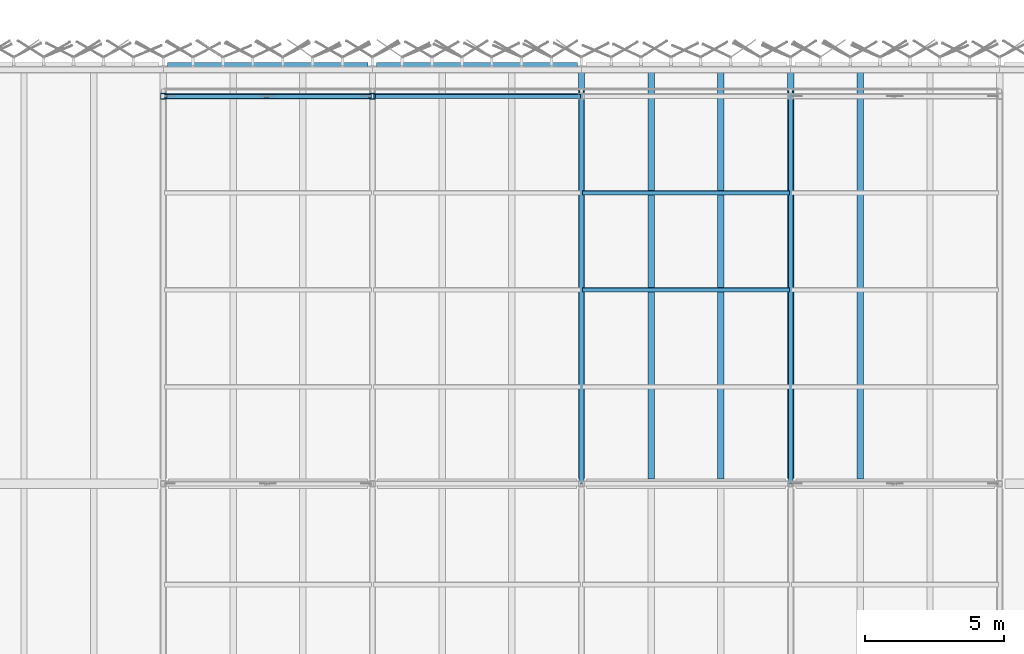
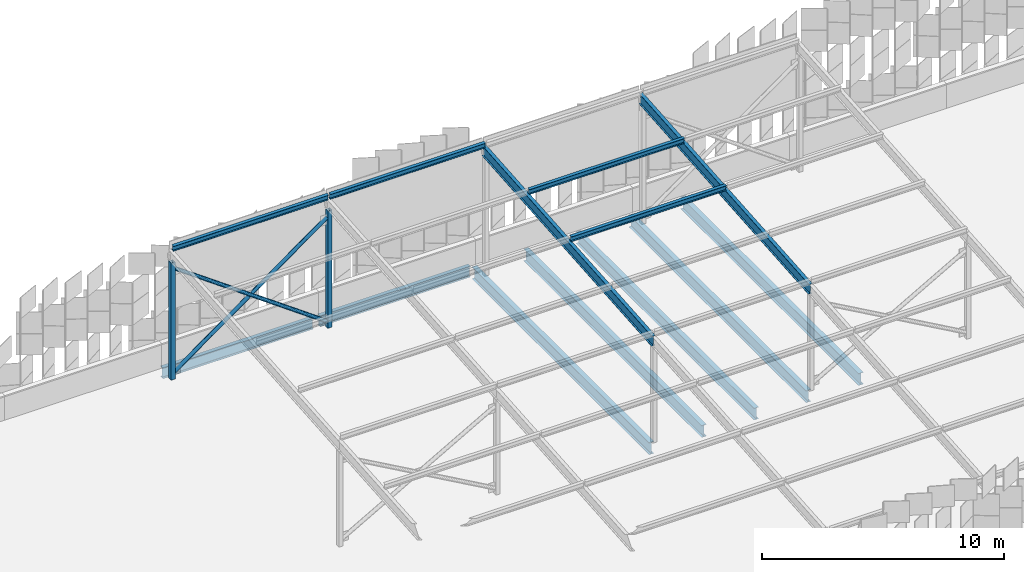
# One storey, part 98 of 483: 11 members, 7 beams.
"""IFC4 building model written with IfcOpenShell, lengths in metres."""

import ifcopenshell
import ifcopenshell.guid

model = None  # the IFC model being written
_history = None  # IfcOwnerHistory: only IFC2X3 demands one
_inside = {}  # id of a spatial element -> (the spatial element, [elements in it])
_under = {}  # id of a project, library or spatial element -> (it, [spatial elements below it])
_declared = {}  # id of a project -> (the project, [libraries it declares])
_typed = {}  # id of a type object -> (the type object, [elements of that type])
_made_of = {}  # id of a material, layer set ... -> (it, [elements and type objects made of it])


def new_model(schema):
    """Start an empty IFC model of exactly this schema.

    Asked for "IFC4X3", IfcOpenShell would pick the latest addendum, in which some entities
    have other attributes; the version numbers below select the first issue.
    IFC2X3 requires an IfcOwnerHistory on every rooted entity: one is made here for all.
    """
    global model, _history
    if schema == "IFC4X3":
        model = ifcopenshell.file(schema_version=(4, 3, 0, 0))
    else:
        model = ifcopenshell.file(schema=schema)
    _inside.clear()
    _under.clear()
    _declared.clear()
    _typed.clear()
    _made_of.clear()
    _history = None
    if model.schema == "IFC2X3":
        org = make("IfcOrganization", Name="unknown")
        user = make(
            "IfcPersonAndOrganization",
            ThePerson=make("IfcPerson", FamilyName="unknown"),
            TheOrganization=org,
        )
        app = make(
            "IfcApplication",
            ApplicationDeveloper=org,
            Version="unknown",
            ApplicationFullName="unknown",
            ApplicationIdentifier="unknown",
        )
        _history = make(
            "IfcOwnerHistory",
            OwningUser=user,
            OwningApplication=app,
            ChangeAction="ADDED",
            CreationDate=0,
        )
    return model


def make(cls, **values):
    """One entity of the class cls with the attributes given. An attribute that is None is left unset."""
    return model.create_entity(
        cls, **{name: value for name, value in values.items() if value is not None}
    )


def rooted(cls, **values):
    """An entity with a GlobalId (a new one), such as an element, a storey or a relation."""
    return make(cls, GlobalId=ifcopenshell.guid.new(), OwnerHistory=_history, **values)


def si_unit(unit_type, name, prefix=None):
    """IfcSIUnit, for example si_unit("LENGTHUNIT", "METRE", prefix="MILLI")."""
    return make("IfcSIUnit", UnitType=unit_type, Prefix=prefix, Name=name)


def assignment(units):
    """IfcUnitAssignment: the units of a project."""
    return None if units is None else make("IfcUnitAssignment", Units=units)


def point(xyz):
    """IfcCartesianPoint."""
    return None if xyz is None else make("IfcCartesianPoint", Coordinates=xyz)


def direction(xyz):
    """IfcDirection."""
    return None if xyz is None else make("IfcDirection", DirectionRatios=xyz)


def frame(location, z_axis=None, x_axis=None):
    """IfcAxis2Placement3D, a coordinate frame: its origin and axes. An axis left out is left unset."""
    return make(
        "IfcAxis2Placement3D",
        Location=point(location),
        Axis=direction(z_axis),
        RefDirection=direction(x_axis),
    )


def frame_2d(location, x_axis=None):
    """IfcAxis2Placement2D, a coordinate frame in the plane: its origin and x axis."""
    return make(
        "IfcAxis2Placement2D", Location=point(location), RefDirection=direction(x_axis)
    )


def origin():
    """The frame at (0, 0, 0) with its axes left unset."""
    return frame((0.0, 0.0, 0.0))


def origin_2d():
    """The frame at (0, 0) in the plane with its x axis left unset."""
    return frame_2d((0.0, 0.0))


def place(relative_to, where):
    """IfcLocalPlacement: puts the frame where relative to a parent placement (None: the world)."""
    return make(
        "IfcLocalPlacement", PlacementRelTo=relative_to, RelativePlacement=where
    )


def context(
    kind, dimensions, precision=None, world=None, true_north=None, identifier=None
):
    """IfcGeometricRepresentationContext, for example the 3D "Model" context."""
    return make(
        "IfcGeometricRepresentationContext",
        ContextIdentifier=identifier,
        ContextType=kind,
        CoordinateSpaceDimension=dimensions,
        Precision=precision,
        WorldCoordinateSystem=world,
        TrueNorth=true_north,
    )


def subcontext(parent, identifier, kind, view, scale=None):
    """IfcGeometricRepresentationSubContext, for example "Body" below "Model"."""
    return make(
        "IfcGeometricRepresentationSubContext",
        ContextIdentifier=identifier,
        ContextType=kind,
        ParentContext=parent,
        TargetScale=scale,
        TargetView=view,
    )


def project(units=None, contexts=None):
    """IfcProject with its units and contexts."""
    return rooted(
        "IfcProject",
        Name="project",
        RepresentationContexts=contexts,
        UnitsInContext=assignment(units),
    )


def spatial(cls, under=None, at=None, **own):
    """A site, building, storey or space (cls), placed at a placement, below another one or the project."""
    s = rooted(cls, ObjectPlacement=at, **own)
    if under is not None:
        _under.setdefault(under.id(), (under, []))[1].append(s)
    return s


def profile(cls, at=None, kind="AREA", **sizes):
    """A parametric profile (cls). Its sizes go by their IFC names, for example OverallWidth=200.0."""
    return make(cls, ProfileType=kind, Position=at, **sizes)


def hollow_rectangle(**sizes):
    """IfcRectangleHollowProfileDef."""
    return profile("IfcRectangleHollowProfileDef", **sizes)


def hollow_circle(**sizes):
    """IfcCircleHollowProfileDef."""
    return profile("IfcCircleHollowProfileDef", **sizes)


def i_section(**sizes):
    """IfcIShapeProfileDef."""
    return profile("IfcIShapeProfileDef", **sizes)


def extrude(swept, where, along, depth):
    """IfcExtrudedAreaSolid: the profile swept, set in the frame where, extruded along a direction by depth."""
    return make(
        "IfcExtrudedAreaSolid",
        SweptArea=swept,
        Position=where,
        ExtrudedDirection=direction(along),
        Depth=depth,
    )


def shape(context_of_items, identifier, shape_type, items):
    """IfcShapeRepresentation: the items that make up one representation, for example the "Body"."""
    return make(
        "IfcShapeRepresentation",
        ContextOfItems=context_of_items,
        RepresentationIdentifier=identifier,
        RepresentationType=shape_type,
        Items=items,
    )


def material(Name=None, Category=None):
    """IfcMaterial."""
    return make("IfcMaterial", Name=Name, Category=Category)


def material_profile(
    of_material, cross_section, Name=None, Category=None, Priority=None
):
    """IfcMaterialProfile: a cross section and its material."""
    return make(
        "IfcMaterialProfile",
        Name=Name,
        Material=of_material,
        Profile=cross_section,
        Priority=Priority,
        Category=Category,
    )


def profile_set(profiles, Name=None, composite=None):
    """IfcMaterialProfileSet."""
    return make(
        "IfcMaterialProfileSet",
        Name=Name,
        MaterialProfiles=profiles,
        CompositeProfile=composite,
    )


def made_of(thing, what):
    """Note that an element or type object is made of a material, layer set ...; save() writes the relation."""
    if what is not None:
        _made_of.setdefault(what.id(), (what, []))[1].append(thing)
    return thing


def type_object(cls, material=None, **own):
    """A type object (cls), such as IfcWallType, which elements share."""
    return made_of(rooted(cls, **own), material)


def element(
    cls,
    number,
    at=None,
    inside=None,
    cuts=None,
    type_object=None,
    material=None,
    context=None,
    identifier="Body",
    shape_type=None,
    held_by="IfcProductDefinitionShape",
    body=None,
    shapes=None,
    **own,
):
    """One element of the class cls, such as IfcWall. Its Tag is "e" and its number.

    at: its placement. inside: the storey or other place that contains it. cuts: it is an
    opening in that element (IfcRelVoidsElement). A single representation is given by context,
    identifier, shape_type and body (its items); several are given by shapes. held_by: the class
    of the entity that holds the representations. save() writes the other relations.
    """
    e = rooted(cls, Tag="e%d" % number, ObjectPlacement=at, **own)
    if body is not None:
        shapes = [shape(context, identifier, shape_type, body)]
    if shapes is not None:
        e.Representation = make(held_by, Representations=shapes)
    if inside is not None:
        _inside.setdefault(inside.id(), (inside, []))[1].append(e)
    if cuts is not None:
        rooted(
            "IfcRelVoidsElement", RelatingBuildingElement=cuts, RelatedOpeningElement=e
        )
    if type_object is not None:
        _typed.setdefault(type_object.id(), (type_object, []))[1].append(e)
    return made_of(e, material)


def aggregate(whole, parts):
    """IfcRelAggregates: a whole, such as a stair, and the parts it consists of."""
    return rooted("IfcRelAggregates", RelatingObject=whole, RelatedObjects=parts)


def save(model, path):
    """Write the relations noted so far, then the file.

    IfcRelAggregates (storeys below a building ...), IfcRelContainedInSpatialStructure (elements
    in a storey), IfcRelDefinesByType, IfcRelAssociatesMaterial and IfcRelDeclares: one each for
    every whole, place, type object, material and project.
    """
    for whole, parts in _under.values():
        aggregate(whole, parts)
    for where, things in _inside.values():
        rooted(
            "IfcRelContainedInSpatialStructure",
            RelatedElements=things,
            RelatingStructure=where,
        )
    for kind, things in _typed.values():
        rooted("IfcRelDefinesByType", RelatedObjects=things, RelatingType=kind)
    for what, things in _made_of.values():
        rooted("IfcRelAssociatesMaterial", RelatedObjects=things, RelatingMaterial=what)
    for by, libraries in _declared.values():
        rooted("IfcRelDeclares", RelatingContext=by, RelatedDefinitions=libraries)
    model.write(path)


model = new_model("IFC4")

# Units and contexts
model_context = context("Model", 3, precision=1e-05, world=origin(), true_north=direction((0.0, 1.0)))
body_context = subcontext(model_context, "Body", "Model", "MODEL_VIEW")
ifc_project = project(units=[si_unit("LENGTHUNIT", "METRE"), si_unit("AREAUNIT", "SQUARE_METRE"), si_unit("VOLUMEUNIT", "CUBIC_METRE"), si_unit("PLANEANGLEUNIT", "RADIAN"), si_unit("MASSUNIT", "GRAM", prefix="KILO")], contexts=[model_context])

# Site, building, storey
site_placement = place(None, origin())
site = spatial("IfcSite", under=ifc_project, at=site_placement, CompositionType="ELEMENT")
building_placement = place(site_placement, origin())
building = spatial("IfcBuilding", under=site, at=building_placement, Name="Parallax Yard Mobility Hub", CompositionType="ELEMENT")
storey_placement = place(building_placement, frame((0.0, 0.0, 13.199951171875)))
storey = spatial("IfcBuildingStorey", under=building, at=storey_placement, Name="L04", CompositionType="ELEMENT", Elevation=13.199951171875)

# Members
ifc_material_1 = material(Name="Steel ASTM A500 Gr C", Category="steel")
ifc_material_profile_1 = material_profile(ifc_material_1, hollow_circle(Radius=0.0888671875, WallThickness=0.0078125, at=origin_2d()), Name="HSS177.8x7.9")
ifc_profile_set_1 = profile_set([ifc_material_profile_1], Name="Steel ASTM A500 Gr C")
member_type_1 = type_object("IfcMemberType", Name="Canopy brace HSS177.8x7.9", PredefinedType="BRACE", material=ifc_profile_set_1)
member_placement = place(storey_placement, frame((97.413330078125, 141.39990234375, 0.300048828125), z_axis=(-0.812229364316, 0.0, 0.583338203569), x_axis=(0.0, -1.0, 0.0)))
element("IfcMember", 1, at=member_placement, inside=storey, type_object=member_type_1, Name="Canopy X brace RC bay N-B bay 1 diagonal B", PredefinedType="BRACE", context=body_context, shape_type="SweptSolid", body=[
    extrude(hollow_circle(Radius=0.0888671875, WallThickness=0.0078125, at=origin_2d()), origin(), (0.0, 0.0, 1.0), 9.0205078125),
])
for number, where, z_axis, x_axis, name in (
    (2, (90.086669921875, 141.39990234375, 0.300048828125), (0.812232602015, 0.0, 0.58333369543), (0.0, 1.0, 0.0), "Canopy X brace RC bay N-B bay 1 diagonal A part 1"),
    (3, (93.818115234375, 141.39990234375, 2.97998046875), (0.812232602015, 0.0, 0.58333369543), (0.0, 1.0, 0.0), "Canopy X brace RC bay N-B bay 1 diagonal A part 2"),
):
    element("IfcMember", number, at=place(storey_placement, frame(where, z_axis=z_axis, x_axis=x_axis)), inside=storey, type_object=member_type_1, Name=name, PredefinedType="BRACE", context=body_context, shape_type="SweptSolid", body=[
        extrude(hollow_circle(Radius=0.0888671875, WallThickness=0.0078125, at=origin_2d()), origin(), (0.0, 0.0, 1.0), 4.42626953125),
    ])
ifc_material_profile_2 = material_profile(ifc_material_1, hollow_rectangle(XDim=0.203125, YDim=0.203125, WallThickness=0.009521484375, at=origin_2d()), Name="HSS203x203x9.5")
ifc_profile_set_2 = profile_set([ifc_material_profile_2], Name="Steel ASTM A500 Gr C")
member_type_2 = type_object("IfcMemberType", Name="Canopy post HSS203x203x9.5", PredefinedType="POST", material=ifc_profile_set_2)
for number, where, z_axis, x_axis, name in (
    (4, (90.0, 141.39990234375, 0.0), (0.0, 0.0, 1.0), (1.0, 0.0, 0.0), "Canopy post RC/N-B1"),
    (5, (97.5, 141.39990234375, 0.0), (0.0, 0.0, 1.0), (1.0, 0.0, 0.0), "Canopy post RC/N-B2"),
):
    element("IfcMember", number, at=place(storey_placement, frame(where, z_axis=z_axis, x_axis=x_axis)), inside=storey, type_object=member_type_2, Name=name, PredefinedType="POST", context=body_context, shape_type="SweptSolid", body=[
        extrude(hollow_rectangle(XDim=0.203125, YDim=0.203125, WallThickness=0.009521484375, at=origin_2d()), origin(), (0.0, 0.0, 1.0), 5.922119140625),
    ])
ifc_material_2 = material(Name="Steel ASTM A992", Category="steel")
ifc_material_profile_3 = material_profile(ifc_material_2, i_section(OverallWidth=0.14794921875, OverallDepth=0.26611328125, WebThickness=0.007568359375, FlangeThickness=0.012939453125, at=origin_2d()), Name="W250x45")
ifc_profile_set_3 = profile_set([ifc_material_profile_3], Name="Steel ASTM A992")
member_type_3 = type_object("IfcMemberType", Name="Canopy purlin W250x45", PredefinedType="PURLIN", material=ifc_profile_set_3)
for number, where, z_axis, x_axis, name in (
    (6, (90.0400390625, 141.41064453125, 6.573974609375), (1.0, 0.0, 0.0), (0.0, 0.996815308126, 0.079744852409), "Canopy purlin sector N-B bay 1 line 9"),
    (7, (97.5400390625, 141.41064453125, 6.573974609375), (1.0, 0.0, 0.0), (0.0, 0.996815308126, 0.079744852409), "Canopy purlin sector N-B bay 2 line 9"),
    (8, (105.0400390625, 134.460693359375, 6.01806640625), (1.0, 0.0, 0.0), (0.0, 0.996815308126, 0.079744852409), "Canopy purlin sector N-B bay 3 line 7"),
    (9, (105.0400390625, 137.935546875, 6.296142578125), (1.0, 0.0, 0.0), (0.0, 0.996815308126, 0.079744852409), "Canopy purlin sector N-B bay 3 line 8"),
):
    element("IfcMember", number, at=place(storey_placement, frame(where, z_axis=z_axis, x_axis=x_axis)), inside=storey, type_object=member_type_3, Name=name, PredefinedType="PURLIN", context=body_context, shape_type="SweptSolid", body=[
        extrude(i_section(OverallWidth=0.14794921875, OverallDepth=0.26611328125, WebThickness=0.007568359375, FlangeThickness=0.012939453125, at=origin_2d()), origin(), (0.0, 0.0, 1.0), 7.419921875),
    ])
ifc_material_profile_4 = material_profile(ifc_material_2, i_section(OverallWidth=0.166015625, OverallDepth=0.529052734375, WebThickness=0.009765625, FlangeThickness=0.013671875, at=origin_2d()), Name="W530x74")
ifc_profile_set_4 = profile_set([ifc_material_profile_4], Name="Steel ASTM A992")
member_type_4 = type_object("IfcMemberType", Name="Canopy rafter W530x74", PredefinedType="RAFTER", material=ifc_profile_set_4)
for number, where, z_axis, x_axis, name in (
    (10, (105.0, 127.52099609375, 5.067138671875), (0.0, 0.996815168385, 0.079746599163), (-1.0, 0.0, 0.0), "Canopy rafter N-B3 outer span"),
    (11, (112.5, 127.52099609375, 5.067138671875), (0.0, 0.996815168385, 0.079746599163), (-1.0, 0.0, 0.0), "Canopy rafter N-B4 outer span"),
):
    element("IfcMember", number, at=place(storey_placement, frame(where, z_axis=z_axis, x_axis=x_axis)), inside=storey, type_object=member_type_4, Name=name, PredefinedType="RAFTER", context=body_context, shape_type="SweptSolid", body=[
        extrude(i_section(OverallWidth=0.166015625, OverallDepth=0.529052734375, WebThickness=0.009765625, FlangeThickness=0.013671875, at=origin_2d()), origin(), (0.0, 0.0, 1.0), 14.094970703125),
    ])

# Beams
ifc_material_profile_5 = material_profile(ifc_material_2, i_section(OverallWidth=0.208984375, OverallDepth=0.532958984375, WebThickness=0.01025390625, FlangeThickness=0.015625, FilletRadius=0.0126953125, at=origin_2d()), Name="W530x92")
ifc_profile_set_5 = profile_set([ifc_material_profile_5], Name="Steel ASTM A992")
beam_type_1 = type_object("IfcBeamType", Name="W530x92 edge beam", PredefinedType="SPANDREL", material=ifc_profile_set_5)
for number, where, z_axis, x_axis, name in (
    (12, (90.152587890625, 142.5, -0.406494140625), (1.0, 0.0, 0.0), (0.0, 1.0, 0.0), "Edge beam SB5 level L04, line V of ramped parking decks, span 9"),
    (13, (97.652587890625, 142.5, -0.406494140625), (1.0, 0.0, 0.0), (0.0, 1.0, 0.0), "Edge beam SB5 level L04, line V of ramped parking decks, span 10"),
):
    element("IfcBeam", number, at=place(storey_placement, frame(where, z_axis=z_axis, x_axis=x_axis)), inside=storey, type_object=beam_type_1, Name=name, PredefinedType="SPANDREL", context=body_context, shape_type="SweptSolid", body=[
        extrude(i_section(OverallWidth=0.208984375, OverallDepth=0.532958984375, WebThickness=0.01025390625, FlangeThickness=0.015625, FilletRadius=0.0126953125, at=origin_2d()), origin(), (0.0, 0.0, 1.0), 7.19482421875),
    ])
ifc_material_profile_6 = material_profile(ifc_material_2, i_section(OverallWidth=0.22802734375, OverallDepth=0.60205078125, WebThickness=0.010498046875, FlangeThickness=0.014892578125, FilletRadius=0.0126953125, at=origin_2d()), Name="W610x101")
ifc_profile_set_6 = profile_set([ifc_material_profile_6], Name="Steel ASTM A992")
beam_type_2 = type_object("IfcBeamType", Name="W610x101 secondary beam", PredefinedType="JOIST", material=ifc_profile_set_6)
for number, where, z_axis, x_axis, name in (
    (14, (107.5, 127.66259765625, -0.44091796875), (0.0, 1.0, 0.0), (-1.0, 0.0, 0.0), "Secondary beam B3 level L04, 2.5 m east of line 15 of ramped parking decks, span 2"),
    (15, (115.0, 127.66259765625, -0.44091796875), (0.0, 1.0, 0.0), (-1.0, 0.0, 0.0), "Secondary beam B3 level L04, 2.5 m east of line 16 of ramped parking decks, span 2"),
    (16, (110.0, 127.66259765625, -0.44091796875), (0.0, 1.0, 0.0), (-1.0, 0.0, 0.0), "Secondary beam B3 level L04, 5 m east of line 15 of ramped parking decks, span 2"),
):
    element("IfcBeam", number, at=place(storey_placement, frame(where, z_axis=z_axis, x_axis=x_axis)), inside=storey, type_object=beam_type_2, Name=name, PredefinedType="JOIST", context=body_context, shape_type="SweptSolid", body=[
        extrude(i_section(OverallWidth=0.22802734375, OverallDepth=0.60205078125, WebThickness=0.010498046875, FlangeThickness=0.014892578125, FilletRadius=0.0126953125, at=origin_2d()), origin(), (0.0, 0.0, 1.0), 14.73291015625),
    ])
ifc_material_profile_7 = material_profile(ifc_material_2, i_section(OverallWidth=0.22900390625, OverallDepth=0.612060546875, WebThickness=0.011962890625, FlangeThickness=0.01953125, FilletRadius=0.0126953125, at=origin_2d()), Name="W610x125")
ifc_profile_set_7 = profile_set([ifc_material_profile_7], Name="Steel ASTM A992")
beam_type_3 = type_object("IfcBeamType", Name="W610x125 girder", PredefinedType="BEAM", material=ifc_profile_set_7)
for number, where, z_axis, x_axis, name in (
    (17, (105.0, 127.68408203125, -0.446044921875), (0.0, 1.0, 0.0), (-1.0, 0.0, 0.0), "Girder G3 level L04, line 15 of ramped parking decks, span 2"),
    (18, (112.5, 127.68408203125, -0.446044921875), (0.0, 1.0, 0.0), (-1.0, 0.0, 0.0), "Girder G3 level L04, line 16 of ramped parking decks, span 2"),
):
    element("IfcBeam", number, at=place(storey_placement, frame(where, z_axis=z_axis, x_axis=x_axis)), inside=storey, type_object=beam_type_3, Name=name, PredefinedType="BEAM", context=body_context, shape_type="SweptSolid", body=[
        extrude(i_section(OverallWidth=0.22900390625, OverallDepth=0.612060546875, WebThickness=0.011962890625, FlangeThickness=0.01953125, FilletRadius=0.0126953125, at=origin_2d()), origin(), (0.0, 0.0, 1.0), 14.662353515625),
    ])

save(model, "model.ifc")
